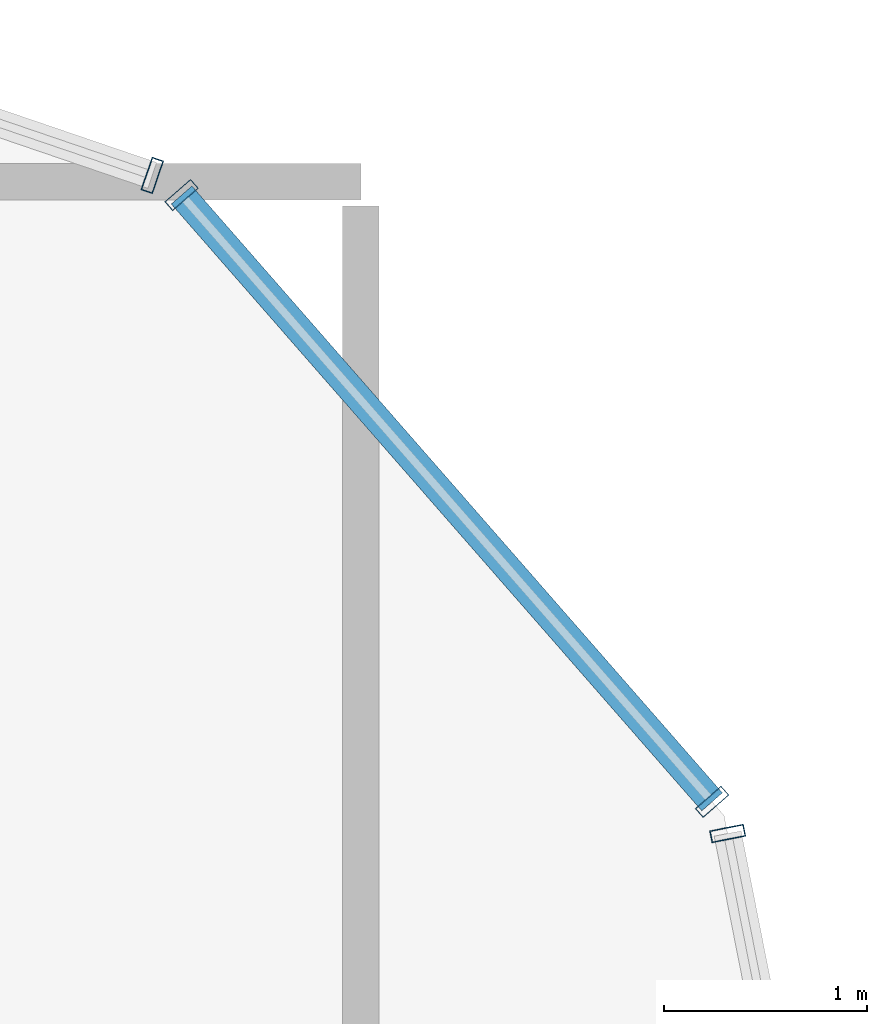
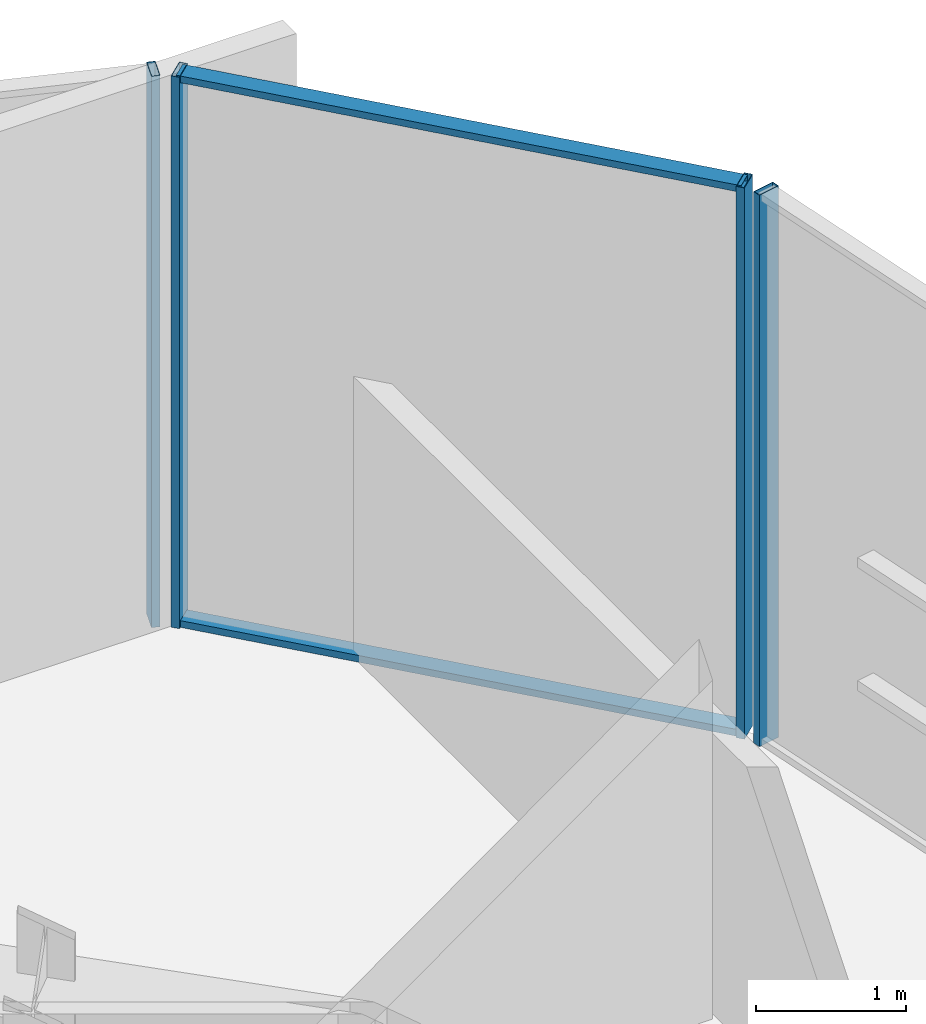
# One storey, part 30 of 36: 6 members, 3 elements without a shape of their own.
"""IFC4 building model written with IfcOpenShell, lengths in metres."""

import ifcopenshell
import ifcopenshell.guid

model = None  # the IFC model being written
_history = None  # IfcOwnerHistory: only IFC2X3 demands one
_inside = {}  # id of a spatial element -> (the spatial element, [elements in it])
_under = {}  # id of a project, library or spatial element -> (it, [spatial elements below it])
_declared = {}  # id of a project -> (the project, [libraries it declares])
_typed = {}  # id of a type object -> (the type object, [elements of that type])
_made_of = {}  # id of a material, layer set ... -> (it, [elements and type objects made of it])


def new_model(schema):
    """Start an empty IFC model of exactly this schema.

    Asked for "IFC4X3", IfcOpenShell would pick the latest addendum, in which some entities
    have other attributes; the version numbers below select the first issue.
    IFC2X3 requires an IfcOwnerHistory on every rooted entity: one is made here for all.
    """
    global model, _history
    if schema == "IFC4X3":
        model = ifcopenshell.file(schema_version=(4, 3, 0, 0))
    else:
        model = ifcopenshell.file(schema=schema)
    _inside.clear()
    _under.clear()
    _declared.clear()
    _typed.clear()
    _made_of.clear()
    _history = None
    if model.schema == "IFC2X3":
        org = make("IfcOrganization", Name="unknown")
        user = make(
            "IfcPersonAndOrganization",
            ThePerson=make("IfcPerson", FamilyName="unknown"),
            TheOrganization=org,
        )
        app = make(
            "IfcApplication",
            ApplicationDeveloper=org,
            Version="unknown",
            ApplicationFullName="unknown",
            ApplicationIdentifier="unknown",
        )
        _history = make(
            "IfcOwnerHistory",
            OwningUser=user,
            OwningApplication=app,
            ChangeAction="ADDED",
            CreationDate=0,
        )
    return model


def make(cls, **values):
    """One entity of the class cls with the attributes given. An attribute that is None is left unset."""
    return model.create_entity(
        cls, **{name: value for name, value in values.items() if value is not None}
    )


def rooted(cls, **values):
    """An entity with a GlobalId (a new one), such as an element, a storey or a relation."""
    return make(cls, GlobalId=ifcopenshell.guid.new(), OwnerHistory=_history, **values)


def si_unit(unit_type, name, prefix=None):
    """IfcSIUnit, for example si_unit("LENGTHUNIT", "METRE", prefix="MILLI")."""
    return make("IfcSIUnit", UnitType=unit_type, Prefix=prefix, Name=name)


def assignment(units):
    """IfcUnitAssignment: the units of a project."""
    return None if units is None else make("IfcUnitAssignment", Units=units)


def point(xyz):
    """IfcCartesianPoint."""
    return None if xyz is None else make("IfcCartesianPoint", Coordinates=xyz)


def direction(xyz):
    """IfcDirection."""
    return None if xyz is None else make("IfcDirection", DirectionRatios=xyz)


def frame(location, z_axis=None, x_axis=None):
    """IfcAxis2Placement3D, a coordinate frame: its origin and axes. An axis left out is left unset."""
    return make(
        "IfcAxis2Placement3D",
        Location=point(location),
        Axis=direction(z_axis),
        RefDirection=direction(x_axis),
    )


def frame_2d(location, x_axis=None):
    """IfcAxis2Placement2D, a coordinate frame in the plane: its origin and x axis."""
    return make(
        "IfcAxis2Placement2D", Location=point(location), RefDirection=direction(x_axis)
    )


def origin():
    """The frame at (0, 0, 0) with its axes left unset."""
    return frame((0.0, 0.0, 0.0))


def origin_2d():
    """The frame at (0, 0) in the plane with its x axis left unset."""
    return frame_2d((0.0, 0.0))


def place(relative_to, where):
    """IfcLocalPlacement: puts the frame where relative to a parent placement (None: the world)."""
    return make(
        "IfcLocalPlacement", PlacementRelTo=relative_to, RelativePlacement=where
    )


def context(
    kind, dimensions, precision=None, world=None, true_north=None, identifier=None
):
    """IfcGeometricRepresentationContext, for example the 3D "Model" context."""
    return make(
        "IfcGeometricRepresentationContext",
        ContextIdentifier=identifier,
        ContextType=kind,
        CoordinateSpaceDimension=dimensions,
        Precision=precision,
        WorldCoordinateSystem=world,
        TrueNorth=true_north,
    )


def subcontext(parent, identifier, kind, view, scale=None):
    """IfcGeometricRepresentationSubContext, for example "Body" below "Model"."""
    return make(
        "IfcGeometricRepresentationSubContext",
        ContextIdentifier=identifier,
        ContextType=kind,
        ParentContext=parent,
        TargetScale=scale,
        TargetView=view,
    )


def project(units=None, contexts=None):
    """IfcProject with its units and contexts."""
    return rooted(
        "IfcProject",
        Name="project",
        RepresentationContexts=contexts,
        UnitsInContext=assignment(units),
    )


def spatial(cls, under=None, at=None, **own):
    """A site, building, storey or space (cls), placed at a placement, below another one or the project."""
    s = rooted(cls, ObjectPlacement=at, **own)
    if under is not None:
        _under.setdefault(under.id(), (under, []))[1].append(s)
    return s


def profile(cls, at=None, kind="AREA", **sizes):
    """A parametric profile (cls). Its sizes go by their IFC names, for example OverallWidth=200.0."""
    return make(cls, ProfileType=kind, Position=at, **sizes)


def hollow_rectangle(**sizes):
    """IfcRectangleHollowProfileDef."""
    return profile("IfcRectangleHollowProfileDef", **sizes)


def extrude(swept, where, along, depth):
    """IfcExtrudedAreaSolid: the profile swept, set in the frame where, extruded along a direction by depth."""
    return make(
        "IfcExtrudedAreaSolid",
        SweptArea=swept,
        Position=where,
        ExtrudedDirection=direction(along),
        Depth=depth,
    )


def shape(context_of_items, identifier, shape_type, items):
    """IfcShapeRepresentation: the items that make up one representation, for example the "Body"."""
    return make(
        "IfcShapeRepresentation",
        ContextOfItems=context_of_items,
        RepresentationIdentifier=identifier,
        RepresentationType=shape_type,
        Items=items,
    )


def source(mapping_origin, context_of_items, identifier, shape_type, items):
    """IfcRepresentationMap: a shape defined once, which mapped items show again and again."""
    return make(
        "IfcRepresentationMap",
        MappingOrigin=mapping_origin,
        MappedRepresentation=shape(context_of_items, identifier, shape_type, items),
    )


def transform(
    local_origin,
    x_axis=None,
    y_axis=None,
    z_axis=None,
    scale=None,
    scale2=None,
    scale3=None,
    uniform=True,
):
    """IfcCartesianTransformationOperator3D, or its non-uniform kind. x_axis, y_axis, z_axis: its Axis1, 2, 3."""
    if uniform:
        return make(
            "IfcCartesianTransformationOperator3D",
            Axis1=direction(x_axis),
            Axis2=direction(y_axis),
            LocalOrigin=point(local_origin),
            Scale=scale,
            Axis3=direction(z_axis),
        )
    return make(
        "IfcCartesianTransformationOperator3DnonUniform",
        Axis1=direction(x_axis),
        Axis2=direction(y_axis),
        LocalOrigin=point(local_origin),
        Scale=scale,
        Axis3=direction(z_axis),
        Scale2=scale2,
        Scale3=scale3,
    )


def mapped(mapping_source, mapping_target):
    """IfcMappedItem: shows the shape of a source again, moved by a transform."""
    return make(
        "IfcMappedItem", MappingSource=mapping_source, MappingTarget=mapping_target
    )


def material(Name=None, Category=None):
    """IfcMaterial."""
    return make("IfcMaterial", Name=Name, Category=Category)


def layer(
    of_material, thickness, ventilated=None, Name=None, Category=None, Priority=None
):
    """IfcMaterialLayer: one layer of a wall or slab, of a material (None: an air gap)."""
    return make(
        "IfcMaterialLayer",
        Material=of_material,
        LayerThickness=thickness,
        IsVentilated=ventilated,
        Name=Name,
        Category=Category,
        Priority=Priority,
    )


def layer_set(layers, Name=None):
    """IfcMaterialLayerSet."""
    return make("IfcMaterialLayerSet", MaterialLayers=layers, LayerSetName=Name)


def material_profile(
    of_material, cross_section, Name=None, Category=None, Priority=None
):
    """IfcMaterialProfile: a cross section and its material."""
    return make(
        "IfcMaterialProfile",
        Name=Name,
        Material=of_material,
        Profile=cross_section,
        Priority=Priority,
        Category=Category,
    )


def profile_set(profiles, Name=None, composite=None):
    """IfcMaterialProfileSet."""
    return make(
        "IfcMaterialProfileSet",
        Name=Name,
        MaterialProfiles=profiles,
        CompositeProfile=composite,
    )


def made_of(thing, what):
    """Note that an element or type object is made of a material, layer set ...; save() writes the relation."""
    if what is not None:
        _made_of.setdefault(what.id(), (what, []))[1].append(thing)
    return thing


def type_object(cls, material=None, **own):
    """A type object (cls), such as IfcWallType, which elements share."""
    return made_of(rooted(cls, **own), material)


def element(
    cls,
    number,
    at=None,
    inside=None,
    cuts=None,
    type_object=None,
    material=None,
    context=None,
    identifier="Body",
    shape_type=None,
    held_by="IfcProductDefinitionShape",
    body=None,
    shapes=None,
    **own,
):
    """One element of the class cls, such as IfcWall. Its Tag is "e" and its number.

    at: its placement. inside: the storey or other place that contains it. cuts: it is an
    opening in that element (IfcRelVoidsElement). A single representation is given by context,
    identifier, shape_type and body (its items); several are given by shapes. held_by: the class
    of the entity that holds the representations. save() writes the other relations.
    """
    e = rooted(cls, Tag="e%d" % number, ObjectPlacement=at, **own)
    if body is not None:
        shapes = [shape(context, identifier, shape_type, body)]
    if shapes is not None:
        e.Representation = make(held_by, Representations=shapes)
    if inside is not None:
        _inside.setdefault(inside.id(), (inside, []))[1].append(e)
    if cuts is not None:
        rooted(
            "IfcRelVoidsElement", RelatingBuildingElement=cuts, RelatedOpeningElement=e
        )
    if type_object is not None:
        _typed.setdefault(type_object.id(), (type_object, []))[1].append(e)
    return made_of(e, material)


def aggregate(whole, parts):
    """IfcRelAggregates: a whole, such as a stair, and the parts it consists of."""
    return rooted("IfcRelAggregates", RelatingObject=whole, RelatedObjects=parts)


def save(model, path):
    """Write the relations noted so far, then the file.

    IfcRelAggregates (storeys below a building ...), IfcRelContainedInSpatialStructure (elements
    in a storey), IfcRelDefinesByType, IfcRelAssociatesMaterial and IfcRelDeclares: one each for
    every whole, place, type object, material and project.
    """
    for whole, parts in _under.values():
        aggregate(whole, parts)
    for where, things in _inside.values():
        rooted(
            "IfcRelContainedInSpatialStructure",
            RelatedElements=things,
            RelatingStructure=where,
        )
    for kind, things in _typed.values():
        rooted("IfcRelDefinesByType", RelatedObjects=things, RelatingType=kind)
    for what, things in _made_of.values():
        rooted("IfcRelAssociatesMaterial", RelatedObjects=things, RelatingMaterial=what)
    for by, libraries in _declared.values():
        rooted("IfcRelDeclares", RelatingContext=by, RelatedDefinitions=libraries)
    model.write(path)


model = new_model("IFC4")

# Units and contexts
model_context = context("Model", 3, precision=1e-05, world=origin(), true_north=direction((0.0, 1.0)))
body_context = subcontext(model_context, "Body", "Model", "MODEL_VIEW")
ifc_project = project(units=[si_unit("LENGTHUNIT", "METRE"), si_unit("AREAUNIT", "SQUARE_METRE"), si_unit("VOLUMEUNIT", "CUBIC_METRE"), si_unit("PLANEANGLEUNIT", "RADIAN"), si_unit("MASSUNIT", "GRAM", prefix="KILO")], contexts=[model_context])

# Site, building, storey
site_placement = place(None, origin())
site = spatial("IfcSite", under=ifc_project, at=site_placement, CompositionType="ELEMENT")
building_placement = place(site_placement, origin())
building = spatial("IfcBuilding", under=site, at=building_placement, Name="Veraguas Prism Commons", CompositionType="ELEMENT")
storey_placement = place(building_placement, frame((0.0, 0.0, 169.550048828125)))
storey = spatial("IfcBuildingStorey", under=building, at=storey_placement, Name="L48", CompositionType="ELEMENT", Elevation=169.550048828125)

# Curtain wall, member
ifc_material = material(Name="Anodised aluminium EN AW-6063 T6", Category="aluminium")
ifc_layer = layer(ifc_material, 0.169921875, Name="Unitised Flush Curtain Wall Zone 2", Category="aluminium")
ifc_layer_set = layer_set([ifc_layer], Name="Anodised aluminium EN AW-6063 T6")
curtain_wall_type = type_object("IfcCurtainWallType", Name="Unitised Flush Curtain Wall Zone 2", PredefinedType="NOTDEFINED", material=ifc_layer_set)
curtain_wall_1_placement = place(storey_placement, origin())
curtain_wall_1 = element("IfcCurtainWall", 1, at=curtain_wall_1_placement, inside=storey, type_object=curtain_wall_type, Name="Tower Facade Curtain Wall L48-F1", PredefinedType="NOTDEFINED")
ifc_material_profile_1 = material_profile(ifc_material, hollow_rectangle(XDim=0.06005859375, YDim=0.169921875, WallThickness=0.00390625, at=origin_2d()), Name="AL60X170X4")
ifc_profile_set_1 = profile_set([ifc_material_profile_1], Name="Anodised aluminium EN AW-6063 T6")
member_type_1 = type_object("IfcMemberType", Name="Curtain Wall Mullion Lower AL 60x170x4", PredefinedType="MULLION", material=ifc_profile_set_1)
shared_shape_1 = source(origin(), body_context, "Body", "SweptSolid", [
    extrude(hollow_rectangle(XDim=0.06005859375, YDim=0.169921875, WallThickness=0.00390625, at=origin_2d()), origin(), (0.0, 0.0, 1.0), 4.47998046875),
])
member_1_placement = place(storey_placement, frame((38.321533203125, 39.381591796875, 0.0), z_axis=(0.0, 0.0, 1.0), x_axis=(-0.946424609155, 0.322924850679, 0.0)))
member_1 = element("IfcMember", 2, at=member_1_placement, type_object=member_type_1, Name="CW-Z2 Mullion 1", PredefinedType="MULLION", context=body_context, shape_type="MappedRepresentation", body=[
    mapped(shared_shape_1, transform((0.0, 0.0, 0.0), scale=1.0)),
])
aggregate(curtain_wall_1, [member_1])

curtain_wall_2_placement = place(storey_placement, origin())
curtain_wall_2 = element("IfcCurtainWall", 3, at=curtain_wall_2_placement, inside=storey, type_object=curtain_wall_type, Name="Tower Facade Curtain Wall L48-F6", PredefinedType="NOTDEFINED")
member_2_placement = place(storey_placement, frame((41.15771484375, 36.137451171875, 0.0), z_axis=(0.0, 0.0, 1.0), x_axis=(-0.193549468051, 0.981090517443, 0.0)))
member_2 = element("IfcMember", 4, at=member_2_placement, type_object=member_type_1, Name="CW-Z2 Mullion 5", PredefinedType="MULLION", context=body_context, shape_type="MappedRepresentation", body=[
    mapped(shared_shape_1, transform((0.0, 0.0, 0.0), scale=1.0)),
])
aggregate(curtain_wall_2, [member_2])

# Curtain wall, members
curtain_wall_3_placement = place(storey_placement, origin())
curtain_wall_3 = element("IfcCurtainWall", 5, at=curtain_wall_3_placement, inside=storey, type_object=curtain_wall_type, Name="Chamfer Curtain Wall L48-C1", PredefinedType="NOTDEFINED")
member_3_placement = place(storey_placement, frame((41.0810546875, 36.293701171875, 0.0), z_axis=(0.0, 0.0, 1.0), x_axis=(-0.658186352891, 0.752855049042, 0.0)))
member_3 = element("IfcMember", 6, at=member_3_placement, type_object=member_type_1, Name="CW-Z2 Mullion 1", PredefinedType="MULLION", context=body_context, shape_type="MappedRepresentation", body=[
    mapped(shared_shape_1, transform((0.0, 0.0, 0.0), scale=1.0)),
])
member_4_placement = place(storey_placement, frame((38.466064453125, 39.284912109375, 0.0), z_axis=(0.0, 0.0, 1.0), x_axis=(-0.658186352891, 0.752855049042, 0.0)))
member_4 = element("IfcMember", 7, at=member_4_placement, type_object=member_type_1, Name="CW-Z2 Mullion 2", PredefinedType="MULLION", context=body_context, shape_type="MappedRepresentation", body=[
    mapped(shared_shape_1, transform((0.0, 0.0, 0.0), scale=1.0)),
])
ifc_material_profile_2 = material_profile(ifc_material, hollow_rectangle(XDim=0.054931640625, YDim=0.135009765625, WallThickness=0.0029296875, at=origin_2d()), Name="AL55X135X3")
ifc_profile_set_2 = profile_set([ifc_material_profile_2], Name="Anodised aluminium EN AW-6063 T6")
member_type_2 = type_object("IfcMemberType", Name="Curtain Wall Transom Standard AL 55x135x3", PredefinedType="USERDEFINED", material=ifc_profile_set_2)
shared_shape_2 = source(origin(), body_context, "Body", "SweptSolid", [
    extrude(hollow_rectangle(XDim=0.054931640625, YDim=0.135009765625, WallThickness=0.0029296875, at=origin_2d()), origin(), (0.0, 0.0, 1.0), 3.97314453125),
])
member_5_placement = place(storey_placement, frame((41.0810546875, 36.293701171875, 0.02734375), z_axis=(-0.658173919248, 0.75286591902, 0.0), x_axis=(0.0, 0.0, 1.0)))
member_5 = element("IfcMember", 8, at=member_5_placement, type_object=member_type_2, Name="CW-Z2 Transom 1", ObjectType="TRANSOM", PredefinedType="USERDEFINED", context=body_context, shape_type="MappedRepresentation", body=[
    mapped(shared_shape_2, transform((0.0, 0.0, 0.0), scale=1.0)),
])
member_6_placement = place(storey_placement, frame((41.0810546875, 36.293701171875, 4.452392578125), z_axis=(-0.658173919248, 0.75286591902, 0.0), x_axis=(0.0, 0.0, 1.0)))
member_6 = element("IfcMember", 9, at=member_6_placement, type_object=member_type_2, Name="CW-Z2 Transom 2", ObjectType="TRANSOM", PredefinedType="USERDEFINED", context=body_context, shape_type="MappedRepresentation", body=[
    mapped(shared_shape_2, transform((0.0, 0.0, 0.0), scale=1.0)),
])
aggregate(curtain_wall_3, [member_3, member_4, member_5, member_6])

save(model, "model.ifc")
